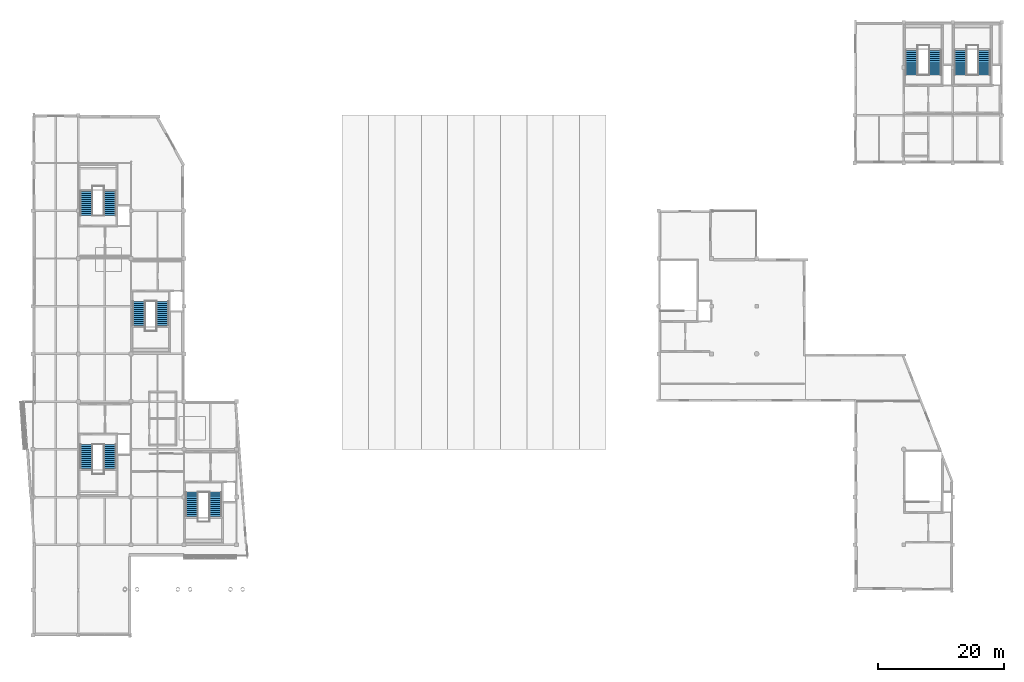
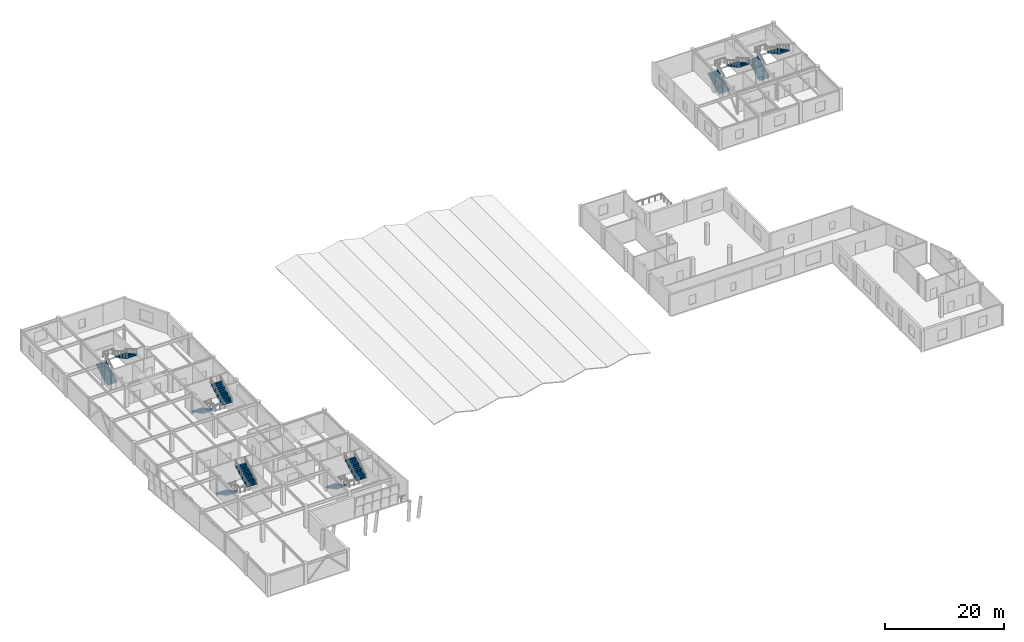
# One storey, part 26 of 28: 12 stair flights, 6 elements without a shape of their own.
"""IFC4 building model written with IfcOpenShell, lengths in metres."""

from ifc_helpers import new_model, si_unit, direction, frame, origin, place, context, subcontext, project, spatial, polyline, outline, extrude, material, type_object, element, aggregate, save


model = new_model("IFC4")

# Units and contexts
model_context = context("Model", 3, precision=1e-05, world=origin(), true_north=direction((0.0, 1.0)))
body_context = subcontext(model_context, "Body", "Model", "MODEL_VIEW")
ifc_project = project(units=[si_unit("LENGTHUNIT", "METRE"), si_unit("AREAUNIT", "SQUARE_METRE"), si_unit("VOLUMEUNIT", "CUBIC_METRE"), si_unit("PLANEANGLEUNIT", "RADIAN"), si_unit("MASSUNIT", "GRAM", prefix="KILO")], contexts=[model_context])

# Site, building, storey
site_placement = place(None, origin())
site = spatial("IfcSite", under=ifc_project, at=site_placement, CompositionType="ELEMENT")
building_placement = place(site_placement, origin())
building = spatial("IfcBuilding", under=site, at=building_placement, Name="Xicomal Pleat Aquarium", CompositionType="ELEMENT")
storey_placement = place(building_placement, frame((0.0, 0.0, 15.300048828125)))
storey = spatial("IfcBuildingStorey", under=building, at=storey_placement, Name="L04", CompositionType="ELEMENT", Elevation=15.300048828125)

# Stair, stair flights
ifc_material_1 = material(Name="Concrete C35/45", Category="concrete")
stair_type = type_object("IfcStairType", Name="STR-HT-4500-2200", PredefinedType="HALF_TURN_STAIR", material=ifc_material_1)
stair_1_placement = place(storey_placement, origin())
stair_1 = element("IfcStair", 1, at=stair_1_placement, inside=storey, type_object=stair_type, Name="ST-01 fire exit stair L04 to L05", PredefinedType="HALF_TURN_STAIR")
ifc_material_2 = material(Name="Concrete C35/45", Category="concrete")
stair_flight_type = type_object("IfcStairFlightType", Name="STF-4500-2200", PredefinedType="STRAIGHT", material=ifc_material_2)
stair_flight_1_placement = place(storey_placement, frame((11.43994140625, 31.179931640625, 0.0), z_axis=(0.0, 0.0, 1.0), x_axis=(0.0, -1.0, 0.0)))
stair_flight_1 = element("IfcStairFlight", 2, at=stair_flight_1_placement, type_object=stair_flight_type, Name="ST-01 flight 1", NumberOfRisers=13, NumberOfTreads=12, PredefinedType="STRAIGHT", RiserHeight=0.173076923, TreadLength=0.322, context=body_context, shape_type="SweptSolid", body=[
    extrude(outline(polyline([(0.0, 0.0), (0.0, 0.173095703125), (0.322021484375, 0.173095703125), (0.322021484375, 0.34619140625), (0.64404296875, 0.34619140625), (0.64404296875, 0.519287109375), (0.966064453125, 0.519287109375), (0.966064453125, 0.6923828125), (1.2880859375, 0.6923828125), (1.2880859375, 0.865478515625), (1.610107421875, 0.865478515625), (1.610107421875, 1.03857421875), (1.931884765625, 1.03857421875), (1.931884765625, 1.21142578125), (2.25390625, 1.21142578125), (2.25390625, 1.384521484375), (2.575927734375, 1.384521484375), (2.575927734375, 1.5576171875), (2.89794921875, 1.5576171875), (2.89794921875, 1.730712890625), (3.219970703125, 1.730712890625), (3.219970703125, 1.90380859375), (3.5419921875, 1.90380859375), (3.5419921875, 2.076904296875), (3.864013671875, 2.076904296875), (3.864013671875, 2.25), (3.864013671875, 1.895263671875), (0.337646484375, 0.0), (0.0, 0.0)])), frame((0.0, 1.0, 0.0), z_axis=(0.0, -1.0, 0.0), x_axis=(1.0, 0.0, 0.0)), (0.0, 0.0, 1.0), 2.0),
])
stair_flight_2_placement = place(storey_placement, frame((15.219970703125, 27.31591796875, 2.25), z_axis=(0.0, 0.0, 1.0), x_axis=(0.0, 1.0, 0.0)))
stair_flight_2 = element("IfcStairFlight", 3, at=stair_flight_2_placement, type_object=stair_flight_type, Name="ST-01 flight 2", NumberOfRisers=13, NumberOfTreads=12, PredefinedType="STRAIGHT", RiserHeight=0.173076923, TreadLength=0.322, context=body_context, shape_type="SweptSolid", body=[
    extrude(outline(polyline([(0.0, 0.0), (0.0, 0.173095703125), (0.322021484375, 0.173095703125), (0.322021484375, 0.34619140625), (0.64404296875, 0.34619140625), (0.64404296875, 0.519287109375), (0.966064453125, 0.519287109375), (0.966064453125, 0.6923828125), (1.2880859375, 0.6923828125), (1.2880859375, 0.865478515625), (1.610107421875, 0.865478515625), (1.610107421875, 1.03857421875), (1.931884765625, 1.03857421875), (1.931884765625, 1.21142578125), (2.25390625, 1.21142578125), (2.25390625, 1.384521484375), (2.575927734375, 1.384521484375), (2.575927734375, 1.5576171875), (2.89794921875, 1.5576171875), (2.89794921875, 1.730712890625), (3.219970703125, 1.730712890625), (3.219970703125, 1.90380859375), (3.5419921875, 1.90380859375), (3.5419921875, 2.076904296875), (3.864013671875, 2.076904296875), (3.864013671875, 2.25), (3.864013671875, 1.895263671875), (0.337646484375, 0.0), (0.0, 0.0)])), frame((0.0, 1.0, 0.0), z_axis=(0.0, -1.0, 0.0), x_axis=(1.0, 0.0, 0.0)), (0.0, 0.0, 1.0), 2.0),
])
aggregate(stair_1, [stair_flight_1, stair_flight_2])

stair_2_placement = place(storey_placement, origin())
stair_2 = element("IfcStair", 4, at=stair_2_placement, inside=storey, type_object=stair_type, Name="ST-02 fire exit stair L04 to L05", PredefinedType="HALF_TURN_STAIR")
stair_flight_3_placement = place(storey_placement, frame((28.239990234375, 23.580078125, 0.0), z_axis=(0.0, 0.0, 1.0), x_axis=(0.0, -1.0, 0.0)))
stair_flight_3 = element("IfcStairFlight", 5, at=stair_flight_3_placement, type_object=stair_flight_type, Name="ST-02 flight 1", NumberOfRisers=13, NumberOfTreads=12, PredefinedType="STRAIGHT", RiserHeight=0.173076923, TreadLength=0.322, context=body_context, shape_type="SweptSolid", body=[
    extrude(outline(polyline([(0.0, 0.0), (0.0, 0.173095703125), (0.322021484375, 0.173095703125), (0.322021484375, 0.34619140625), (0.64404296875, 0.34619140625), (0.64404296875, 0.519287109375), (0.966064453125, 0.519287109375), (0.966064453125, 0.6923828125), (1.2880859375, 0.6923828125), (1.2880859375, 0.865478515625), (1.610107421875, 0.865478515625), (1.610107421875, 1.03857421875), (1.931884765625, 1.03857421875), (1.931884765625, 1.21142578125), (2.25390625, 1.21142578125), (2.25390625, 1.384521484375), (2.575927734375, 1.384521484375), (2.575927734375, 1.5576171875), (2.89794921875, 1.5576171875), (2.89794921875, 1.730712890625), (3.219970703125, 1.730712890625), (3.219970703125, 1.90380859375), (3.5419921875, 1.90380859375), (3.5419921875, 2.076904296875), (3.864013671875, 2.076904296875), (3.864013671875, 2.25), (3.864013671875, 1.895263671875), (0.337646484375, 0.0), (0.0, 0.0)])), frame((0.0, 1.0, 0.0), z_axis=(0.0, -1.0, 0.0), x_axis=(1.0, 0.0, 0.0)), (0.0, 0.0, 1.0), 2.0),
])
stair_flight_4_placement = place(storey_placement, frame((32.02001953125, 19.716064453125, 2.25), z_axis=(0.0, 0.0, 1.0), x_axis=(0.0, 1.0, 0.0)))
stair_flight_4 = element("IfcStairFlight", 6, at=stair_flight_4_placement, type_object=stair_flight_type, Name="ST-02 flight 2", NumberOfRisers=13, NumberOfTreads=12, PredefinedType="STRAIGHT", RiserHeight=0.173076923, TreadLength=0.322, context=body_context, shape_type="SweptSolid", body=[
    extrude(outline(polyline([(0.0, 0.0), (0.0, 0.173095703125), (0.322021484375, 0.173095703125), (0.322021484375, 0.34619140625), (0.64404296875, 0.34619140625), (0.64404296875, 0.519287109375), (0.966064453125, 0.519287109375), (0.966064453125, 0.6923828125), (1.2880859375, 0.6923828125), (1.2880859375, 0.865478515625), (1.610107421875, 0.865478515625), (1.610107421875, 1.03857421875), (1.931884765625, 1.03857421875), (1.931884765625, 1.21142578125), (2.25390625, 1.21142578125), (2.25390625, 1.384521484375), (2.575927734375, 1.384521484375), (2.575927734375, 1.5576171875), (2.89794921875, 1.5576171875), (2.89794921875, 1.730712890625), (3.219970703125, 1.730712890625), (3.219970703125, 1.90380859375), (3.5419921875, 1.90380859375), (3.5419921875, 2.076904296875), (3.864013671875, 2.076904296875), (3.864013671875, 2.25), (3.864013671875, 1.895263671875), (0.337646484375, 0.0), (0.0, 0.0)])), frame((0.0, 1.0, 0.0), z_axis=(0.0, -1.0, 0.0), x_axis=(1.0, 0.0, 0.0)), (0.0, 0.0, 1.0), 2.0),
])
aggregate(stair_2, [stair_flight_3, stair_flight_4])

stair_3_placement = place(storey_placement, origin())
stair_3 = element("IfcStair", 7, at=stair_3_placement, inside=storey, type_object=stair_type, Name="ST-03 fire exit stair L04 to L05", PredefinedType="HALF_TURN_STAIR")
stair_flight_5_placement = place(storey_placement, frame((11.43994140625, 67.6201171875, 0.0), z_axis=(0.0, 0.0, 1.0), x_axis=(0.0, 1.0, 0.0)))
stair_flight_5 = element("IfcStairFlight", 8, at=stair_flight_5_placement, type_object=stair_flight_type, Name="ST-03 flight 1", NumberOfRisers=13, NumberOfTreads=12, PredefinedType="STRAIGHT", RiserHeight=0.173076923, TreadLength=0.322, context=body_context, shape_type="SweptSolid", body=[
    extrude(outline(polyline([(0.0, 0.0), (0.0, 0.173095703125), (0.322021484375, 0.173095703125), (0.322021484375, 0.34619140625), (0.64404296875, 0.34619140625), (0.64404296875, 0.519287109375), (0.966064453125, 0.519287109375), (0.966064453125, 0.6923828125), (1.2880859375, 0.6923828125), (1.2880859375, 0.865478515625), (1.610107421875, 0.865478515625), (1.610107421875, 1.03857421875), (1.931884765625, 1.03857421875), (1.931884765625, 1.21142578125), (2.25390625, 1.21142578125), (2.25390625, 1.384521484375), (2.575927734375, 1.384521484375), (2.575927734375, 1.5576171875), (2.89794921875, 1.5576171875), (2.89794921875, 1.730712890625), (3.219970703125, 1.730712890625), (3.219970703125, 1.90380859375), (3.5419921875, 1.90380859375), (3.5419921875, 2.076904296875), (3.864013671875, 2.076904296875), (3.864013671875, 2.25), (3.864013671875, 1.895263671875), (0.337646484375, 0.0), (0.0, 0.0)])), frame((0.0, 1.0, 0.0), z_axis=(0.0, -1.0, 0.0), x_axis=(1.0, 0.0, 0.0)), (0.0, 0.0, 1.0), 2.0),
])
stair_flight_6_placement = place(storey_placement, frame((15.219970703125, 71.48388671875, 2.25), z_axis=(0.0, 0.0, 1.0), x_axis=(0.0, -1.0, 0.0)))
stair_flight_6 = element("IfcStairFlight", 9, at=stair_flight_6_placement, type_object=stair_flight_type, Name="ST-03 flight 2", NumberOfRisers=13, NumberOfTreads=12, PredefinedType="STRAIGHT", RiserHeight=0.173076923, TreadLength=0.322, context=body_context, shape_type="SweptSolid", body=[
    extrude(outline(polyline([(0.0, 0.0), (0.0, 0.173095703125), (0.322021484375, 0.173095703125), (0.322021484375, 0.34619140625), (0.64404296875, 0.34619140625), (0.64404296875, 0.519287109375), (0.966064453125, 0.519287109375), (0.966064453125, 0.6923828125), (1.2880859375, 0.6923828125), (1.2880859375, 0.865478515625), (1.610107421875, 0.865478515625), (1.610107421875, 1.03857421875), (1.931884765625, 1.03857421875), (1.931884765625, 1.21142578125), (2.25390625, 1.21142578125), (2.25390625, 1.384521484375), (2.575927734375, 1.384521484375), (2.575927734375, 1.5576171875), (2.89794921875, 1.5576171875), (2.89794921875, 1.730712890625), (3.219970703125, 1.730712890625), (3.219970703125, 1.90380859375), (3.5419921875, 1.90380859375), (3.5419921875, 2.076904296875), (3.864013671875, 2.076904296875), (3.864013671875, 2.25), (3.864013671875, 1.895263671875), (0.337646484375, 0.0), (0.0, 0.0)])), frame((0.0, 1.0, 0.0), z_axis=(0.0, -1.0, 0.0), x_axis=(1.0, 0.0, 0.0)), (0.0, 0.0, 1.0), 2.0),
])
aggregate(stair_3, [stair_flight_5, stair_flight_6])

stair_4_placement = place(storey_placement, origin())
stair_4 = element("IfcStair", 10, at=stair_4_placement, inside=storey, type_object=stair_type, Name="ST-04 fire exit stair L04 to L05", PredefinedType="HALF_TURN_STAIR")
stair_flight_7_placement = place(storey_placement, frame((19.840087890625, 53.97998046875, 0.0), z_axis=(0.0, 0.0, 1.0), x_axis=(0.0, -1.0, 0.0)))
stair_flight_7 = element("IfcStairFlight", 11, at=stair_flight_7_placement, type_object=stair_flight_type, Name="ST-04 flight 1", NumberOfRisers=13, NumberOfTreads=12, PredefinedType="STRAIGHT", RiserHeight=0.173076923, TreadLength=0.322, context=body_context, shape_type="SweptSolid", body=[
    extrude(outline(polyline([(0.0, 0.0), (0.0, 0.173095703125), (0.322021484375, 0.173095703125), (0.322021484375, 0.34619140625), (0.64404296875, 0.34619140625), (0.64404296875, 0.519287109375), (0.966064453125, 0.519287109375), (0.966064453125, 0.6923828125), (1.2880859375, 0.6923828125), (1.2880859375, 0.865478515625), (1.610107421875, 0.865478515625), (1.610107421875, 1.03857421875), (1.931884765625, 1.03857421875), (1.931884765625, 1.21142578125), (2.25390625, 1.21142578125), (2.25390625, 1.384521484375), (2.575927734375, 1.384521484375), (2.575927734375, 1.5576171875), (2.89794921875, 1.5576171875), (2.89794921875, 1.730712890625), (3.219970703125, 1.730712890625), (3.219970703125, 1.90380859375), (3.5419921875, 1.90380859375), (3.5419921875, 2.076904296875), (3.864013671875, 2.076904296875), (3.864013671875, 2.25), (3.864013671875, 1.895263671875), (0.337646484375, 0.0), (0.0, 0.0)])), frame((0.0, 1.0, 0.0), z_axis=(0.0, -1.0, 0.0), x_axis=(1.0, 0.0, 0.0)), (0.0, 0.0, 1.0), 2.0),
])
stair_flight_8_placement = place(storey_placement, frame((23.6201171875, 50.115966796875, 2.25), z_axis=(0.0, 0.0, 1.0), x_axis=(0.0, 1.0, 0.0)))
stair_flight_8 = element("IfcStairFlight", 12, at=stair_flight_8_placement, type_object=stair_flight_type, Name="ST-04 flight 2", NumberOfRisers=13, NumberOfTreads=12, PredefinedType="STRAIGHT", RiserHeight=0.173076923, TreadLength=0.322, context=body_context, shape_type="SweptSolid", body=[
    extrude(outline(polyline([(0.0, 0.0), (0.0, 0.173095703125), (0.322021484375, 0.173095703125), (0.322021484375, 0.34619140625), (0.64404296875, 0.34619140625), (0.64404296875, 0.519287109375), (0.966064453125, 0.519287109375), (0.966064453125, 0.6923828125), (1.2880859375, 0.6923828125), (1.2880859375, 0.865478515625), (1.610107421875, 0.865478515625), (1.610107421875, 1.03857421875), (1.931884765625, 1.03857421875), (1.931884765625, 1.21142578125), (2.25390625, 1.21142578125), (2.25390625, 1.384521484375), (2.575927734375, 1.384521484375), (2.575927734375, 1.5576171875), (2.89794921875, 1.5576171875), (2.89794921875, 1.730712890625), (3.219970703125, 1.730712890625), (3.219970703125, 1.90380859375), (3.5419921875, 1.90380859375), (3.5419921875, 2.076904296875), (3.864013671875, 2.076904296875), (3.864013671875, 2.25), (3.864013671875, 1.895263671875), (0.337646484375, 0.0), (0.0, 0.0)])), frame((0.0, 1.0, 0.0), z_axis=(0.0, -1.0, 0.0), x_axis=(1.0, 0.0, 0.0)), (0.0, 0.0, 1.0), 2.0),
])
aggregate(stair_4, [stair_flight_7, stair_flight_8])

stair_5_placement = place(storey_placement, origin())
stair_5 = element("IfcStair", 13, at=stair_5_placement, inside=storey, type_object=stair_type, Name="ST-05 fire exit stair L04 to L05", PredefinedType="HALF_TURN_STAIR")
stair_flight_9_placement = place(storey_placement, frame((142.840087890625, 90.02001953125, 0.0), z_axis=(0.0, 0.0, 1.0), x_axis=(0.0, 1.0, 0.0)))
stair_flight_9 = element("IfcStairFlight", 14, at=stair_flight_9_placement, type_object=stair_flight_type, Name="ST-05 flight 1", NumberOfRisers=13, NumberOfTreads=12, PredefinedType="STRAIGHT", RiserHeight=0.173076923, TreadLength=0.322, context=body_context, shape_type="SweptSolid", body=[
    extrude(outline(polyline([(0.0, 0.0), (0.0, 0.173095703125), (0.322021484375, 0.173095703125), (0.322021484375, 0.34619140625), (0.64404296875, 0.34619140625), (0.64404296875, 0.519287109375), (0.966064453125, 0.519287109375), (0.966064453125, 0.6923828125), (1.2880859375, 0.6923828125), (1.2880859375, 0.865478515625), (1.610107421875, 0.865478515625), (1.610107421875, 1.03857421875), (1.931884765625, 1.03857421875), (1.931884765625, 1.21142578125), (2.25390625, 1.21142578125), (2.25390625, 1.384521484375), (2.575927734375, 1.384521484375), (2.575927734375, 1.5576171875), (2.89794921875, 1.5576171875), (2.89794921875, 1.730712890625), (3.219970703125, 1.730712890625), (3.219970703125, 1.90380859375), (3.5419921875, 1.90380859375), (3.5419921875, 2.076904296875), (3.864013671875, 2.076904296875), (3.864013671875, 2.25), (3.864013671875, 1.895263671875), (0.337646484375, 0.0), (0.0, 0.0)])), frame((0.0, 1.0, 0.0), z_axis=(0.0, -1.0, 0.0), x_axis=(1.0, 0.0, 0.0)), (0.0, 0.0, 1.0), 2.0),
])
stair_flight_10_placement = place(storey_placement, frame((146.6201171875, 93.884033203125, 2.25), z_axis=(0.0, 0.0, 1.0), x_axis=(0.0, -1.0, 0.0)))
stair_flight_10 = element("IfcStairFlight", 15, at=stair_flight_10_placement, type_object=stair_flight_type, Name="ST-05 flight 2", NumberOfRisers=13, NumberOfTreads=12, PredefinedType="STRAIGHT", RiserHeight=0.173076923, TreadLength=0.322, context=body_context, shape_type="SweptSolid", body=[
    extrude(outline(polyline([(0.0, 0.0), (0.0, 0.173095703125), (0.322021484375, 0.173095703125), (0.322021484375, 0.34619140625), (0.64404296875, 0.34619140625), (0.64404296875, 0.519287109375), (0.966064453125, 0.519287109375), (0.966064453125, 0.6923828125), (1.2880859375, 0.6923828125), (1.2880859375, 0.865478515625), (1.610107421875, 0.865478515625), (1.610107421875, 1.03857421875), (1.931884765625, 1.03857421875), (1.931884765625, 1.21142578125), (2.25390625, 1.21142578125), (2.25390625, 1.384521484375), (2.575927734375, 1.384521484375), (2.575927734375, 1.5576171875), (2.89794921875, 1.5576171875), (2.89794921875, 1.730712890625), (3.219970703125, 1.730712890625), (3.219970703125, 1.90380859375), (3.5419921875, 1.90380859375), (3.5419921875, 2.076904296875), (3.864013671875, 2.076904296875), (3.864013671875, 2.25), (3.864013671875, 1.895263671875), (0.337646484375, 0.0), (0.0, 0.0)])), frame((0.0, 1.0, 0.0), z_axis=(0.0, -1.0, 0.0), x_axis=(1.0, 0.0, 0.0)), (0.0, 0.0, 1.0), 2.0),
])
aggregate(stair_5, [stair_flight_9, stair_flight_10])

stair_6_placement = place(storey_placement, origin())
stair_6 = element("IfcStair", 16, at=stair_6_placement, inside=storey, type_object=stair_type, Name="ST-06 fire exit stair L04 to L05", PredefinedType="HALF_TURN_STAIR")
stair_flight_11_placement = place(storey_placement, frame((150.639892578125, 90.02001953125, 0.0), z_axis=(0.0, 0.0, 1.0), x_axis=(0.0, 1.0, 0.0)))
stair_flight_11 = element("IfcStairFlight", 17, at=stair_flight_11_placement, type_object=stair_flight_type, Name="ST-06 flight 1", NumberOfRisers=13, NumberOfTreads=12, PredefinedType="STRAIGHT", RiserHeight=0.173076923, TreadLength=0.322, context=body_context, shape_type="SweptSolid", body=[
    extrude(outline(polyline([(0.0, 0.0), (0.0, 0.173095703125), (0.322021484375, 0.173095703125), (0.322021484375, 0.34619140625), (0.64404296875, 0.34619140625), (0.64404296875, 0.519287109375), (0.966064453125, 0.519287109375), (0.966064453125, 0.6923828125), (1.2880859375, 0.6923828125), (1.2880859375, 0.865478515625), (1.610107421875, 0.865478515625), (1.610107421875, 1.03857421875), (1.931884765625, 1.03857421875), (1.931884765625, 1.21142578125), (2.25390625, 1.21142578125), (2.25390625, 1.384521484375), (2.575927734375, 1.384521484375), (2.575927734375, 1.5576171875), (2.89794921875, 1.5576171875), (2.89794921875, 1.730712890625), (3.219970703125, 1.730712890625), (3.219970703125, 1.90380859375), (3.5419921875, 1.90380859375), (3.5419921875, 2.076904296875), (3.864013671875, 2.076904296875), (3.864013671875, 2.25), (3.864013671875, 1.895263671875), (0.337646484375, 0.0), (0.0, 0.0)])), frame((0.0, 1.0, 0.0), z_axis=(0.0, -1.0, 0.0), x_axis=(1.0, 0.0, 0.0)), (0.0, 0.0, 1.0), 2.0),
])
stair_flight_12_placement = place(storey_placement, frame((154.419921875, 93.884033203125, 2.25), z_axis=(0.0, 0.0, 1.0), x_axis=(0.0, -1.0, 0.0)))
stair_flight_12 = element("IfcStairFlight", 18, at=stair_flight_12_placement, type_object=stair_flight_type, Name="ST-06 flight 2", NumberOfRisers=13, NumberOfTreads=12, PredefinedType="STRAIGHT", RiserHeight=0.173076923, TreadLength=0.322, context=body_context, shape_type="SweptSolid", body=[
    extrude(outline(polyline([(0.0, 0.0), (0.0, 0.173095703125), (0.322021484375, 0.173095703125), (0.322021484375, 0.34619140625), (0.64404296875, 0.34619140625), (0.64404296875, 0.519287109375), (0.966064453125, 0.519287109375), (0.966064453125, 0.6923828125), (1.2880859375, 0.6923828125), (1.2880859375, 0.865478515625), (1.610107421875, 0.865478515625), (1.610107421875, 1.03857421875), (1.931884765625, 1.03857421875), (1.931884765625, 1.21142578125), (2.25390625, 1.21142578125), (2.25390625, 1.384521484375), (2.575927734375, 1.384521484375), (2.575927734375, 1.5576171875), (2.89794921875, 1.5576171875), (2.89794921875, 1.730712890625), (3.219970703125, 1.730712890625), (3.219970703125, 1.90380859375), (3.5419921875, 1.90380859375), (3.5419921875, 2.076904296875), (3.864013671875, 2.076904296875), (3.864013671875, 2.25), (3.864013671875, 1.895263671875), (0.337646484375, 0.0), (0.0, 0.0)])), frame((0.0, 1.0, 0.0), z_axis=(0.0, -1.0, 0.0), x_axis=(1.0, 0.0, 0.0)), (0.0, 0.0, 1.0), 2.0),
])
aggregate(stair_6, [stair_flight_11, stair_flight_12])

save(model, "model.ifc")
